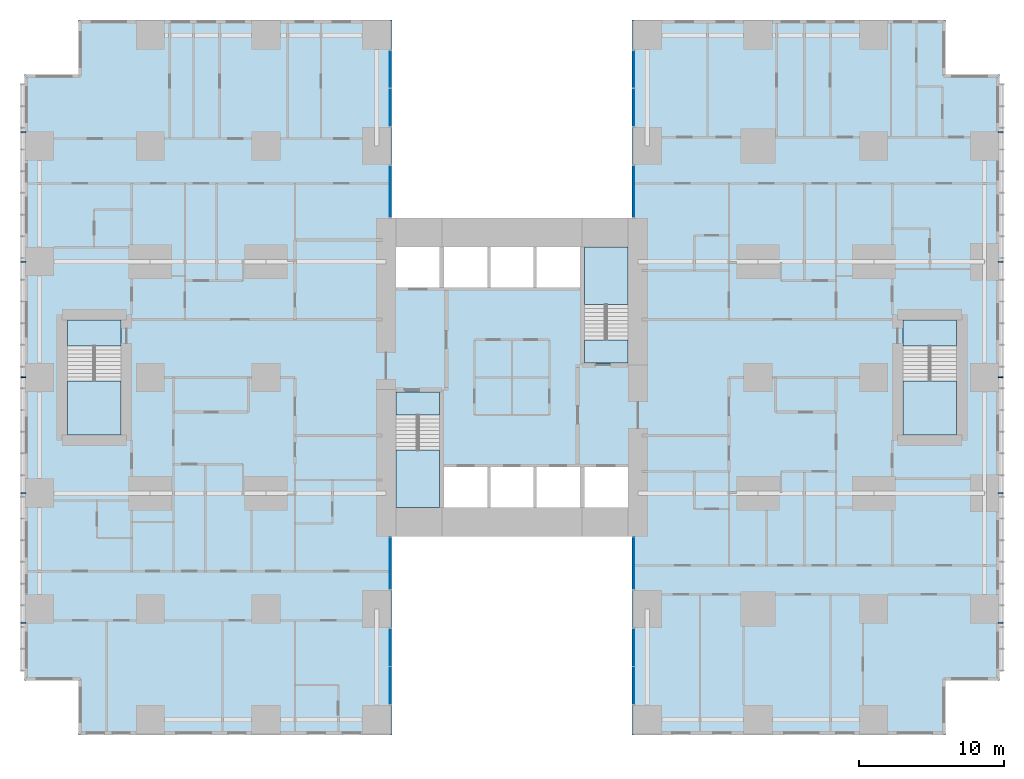
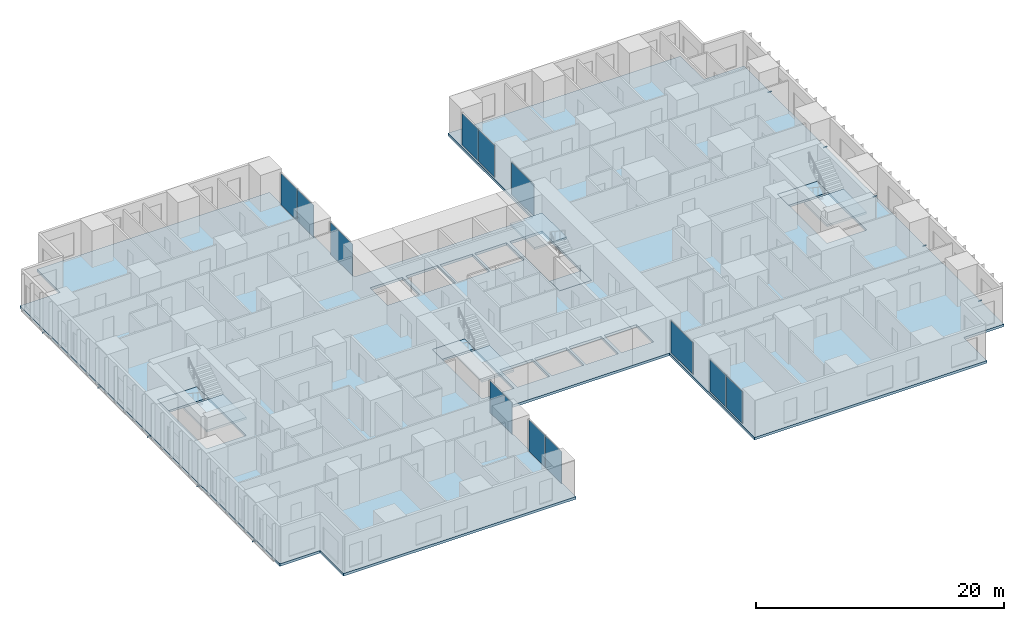
# One storey, part 7 of 20: 12 plates, 10 members, 9 slabs, 12 elements without a shape of their own.
"""IFC4 building model written with IfcOpenShell, lengths in metres."""

from ifc_helpers import new_model, si_unit, direction, frame, origin, origin_2d, place, context, subcontext, project, spatial, polyline, rectangle, hollow_rectangle, outline, extrude, material, layer, layer_set, material_profile, profile_set, type_object, element, aggregate, save


model = new_model("IFC4")

# Units and contexts
model_context = context("Model", 3, precision=1e-05, world=origin(), true_north=direction((0.0, 1.0)))
body_context = subcontext(model_context, "Body", "Model", "MODEL_VIEW")
ifc_project = project(units=[si_unit("LENGTHUNIT", "METRE"), si_unit("AREAUNIT", "SQUARE_METRE"), si_unit("VOLUMEUNIT", "CUBIC_METRE"), si_unit("PLANEANGLEUNIT", "RADIAN"), si_unit("MASSUNIT", "GRAM", prefix="KILO")], contexts=[model_context])

# Site, building, storey
site_placement = place(None, origin())
site = spatial("IfcSite", under=ifc_project, at=site_placement, CompositionType="ELEMENT")
building_placement = place(site_placement, origin())
building = spatial("IfcBuilding", under=site, at=building_placement, Name="Cleftline Residences", CompositionType="ELEMENT")
storey_placement = place(building_placement, frame((0.0, 0.0, 168.199951171875)))
storey = spatial("IfcBuildingStorey", under=building, at=storey_placement, Name="L44", CompositionType="ELEMENT", Elevation=168.199951171875)

# Members
ifc_material_1 = material(Name="Steel S355, hot-dip galvanised", Category="steel")
ifc_material_profile = material_profile(ifc_material_1, hollow_rectangle(XDim=0.10009765625, YDim=0.10009765625, WallThickness=0.008056640625, InnerFilletRadius=0.008056640625, OuterFilletRadius=0.011962890625, at=origin_2d()))
ifc_profile_set = profile_set([ifc_material_profile], Name="Steel S355, hot-dip galvanised")
member_type = type_object("IfcMemberType", Name="BAGUETTE BRACKET SHS 100X100X8", PredefinedType="USERDEFINED", material=ifc_profile_set)
for number, where, z_axis, x_axis, name in (
    (1, (66.60009765625, 7.050048828125, -0.14990234375), (1.0, 0.0, 0.0), (0.0, 1.0, 0.0), "Baguette bracket"),
    (2, (66.60009765625, 16.0, -0.14990234375), (1.0, 0.0, 0.0), (0.0, 1.0, 0.0), "Baguette bracket"),
    (3, (66.60009765625, 24.0, -0.14990234375), (1.0, 0.0, 0.0), (0.0, 1.0, 0.0), "Baguette bracket"),
    (4, (66.60009765625, 32.0, -0.14990234375), (1.0, 0.0, 0.0), (0.0, 1.0, 0.0), "Baguette bracket"),
    (5, (66.60009765625, 40.949951171875, -0.14990234375), (1.0, 0.0, 0.0), (0.0, 1.0, 0.0), "Baguette bracket"),
    (6, (-0.60009765625, 40.949951171875, -0.14990234375), (-1.0, 0.0, 0.0), (0.0, -1.0, 0.0), "Baguette bracket"),
    (7, (-0.60009765625, 32.0, -0.14990234375), (-1.0, 0.0, 0.0), (0.0, -1.0, 0.0), "Baguette bracket"),
    (8, (-0.60009765625, 24.0, -0.14990234375), (-1.0, 0.0, 0.0), (0.0, -1.0, 0.0), "Baguette bracket"),
    (9, (-0.60009765625, 16.0, -0.14990234375), (-1.0, 0.0, 0.0), (0.0, -1.0, 0.0), "Baguette bracket"),
    (10, (-0.60009765625, 7.050048828125, -0.14990234375), (-1.0, 0.0, 0.0), (0.0, -1.0, 0.0), "Baguette bracket"),
):
    element("IfcMember", number, at=place(storey_placement, frame(where, z_axis=z_axis, x_axis=x_axis)), inside=storey, type_object=member_type, Name=name, ObjectType="BAGUETTE BRACKET", PredefinedType="USERDEFINED", context=body_context, shape_type="SweptSolid", body=[
        extrude(hollow_rectangle(XDim=0.10009765625, YDim=0.10009765625, WallThickness=0.008056640625, InnerFilletRadius=0.008056640625, OuterFilletRadius=0.011962890625, at=origin_2d()), origin(), (0.0, 0.0, 1.0), 0.349853515625),
    ])

# Curtain wall, plate
ifc_material_2 = material(Name="Aluminium framed curtain wall", Category="aluminium")
ifc_layer_1 = layer(ifc_material_2, 0.199951171875)
ifc_layer_set_1 = layer_set([ifc_layer_1], Name="CW1 CLEFT GLAZING")
curtain_wall_type = type_object("IfcCurtainWallType", Name="CW1 CLEFT GLAZING", PredefinedType="NOTDEFINED", material=ifc_layer_set_1)
curtain_wall_1_placement = place(storey_placement, origin())
curtain_wall_1 = element("IfcCurtainWall", 11, at=curtain_wall_1_placement, inside=storey, type_object=curtain_wall_type, Name="Curtain wall CW1", PredefinedType="NOTDEFINED")
ifc_material_3 = material(Name="Laminated clear glass", Category="glass")
ifc_layer_2 = layer(ifc_material_3, 0.028076171875)
ifc_layer_set_2 = layer_set([ifc_layer_2], Name="CW1 GLASS PANEL")
plate_type_1 = type_object("IfcPlateType", Name="CW1 GLASS PANEL", PredefinedType="CURTAIN_PANEL", material=ifc_layer_set_2)
plate_1_placement = place(storey_placement, frame((24.574951171875, 5.347412109375, 0.06005859375), z_axis=(0.0, 0.0, 1.0), x_axis=(0.0, 1.0, 0.0)))
plate_1 = element("IfcPlate", 12, at=plate_1_placement, type_object=plate_type_1, Name="CW1 panel 2.1", PredefinedType="CURTAIN_PANEL", context=body_context, shape_type="SweptSolid", body=[
    extrude(rectangle(XDim=2.5849609375, YDim=0.028076171875, at=origin_2d()), origin(), (0.0, 0.0, 1.0), 3.1298828125),
])

curtain_wall_2_placement = place(storey_placement, origin())
curtain_wall_2 = element("IfcCurtainWall", 13, at=curtain_wall_2_placement, inside=storey, type_object=curtain_wall_type, Name="Curtain wall CW1", PredefinedType="NOTDEFINED")
plate_2_placement = place(storey_placement, frame((41.425048828125, 5.347412109375, 0.06005859375), z_axis=(0.0, 0.0, 1.0), x_axis=(0.0, -1.0, 0.0)))
plate_2 = element("IfcPlate", 14, at=plate_2_placement, type_object=plate_type_1, Name="CW1 panel 1.1", PredefinedType="CURTAIN_PANEL", context=body_context, shape_type="SweptSolid", body=[
    extrude(rectangle(XDim=2.5849609375, YDim=0.028076171875, at=origin_2d()), origin(), (0.0, 0.0, 1.0), 3.1298828125),
])

curtain_wall_3_placement = place(storey_placement, origin())
curtain_wall_3 = element("IfcCurtainWall", 15, at=curtain_wall_3_placement, inside=storey, type_object=curtain_wall_type, Name="Curtain wall CW1", PredefinedType="NOTDEFINED")
plate_3_placement = place(storey_placement, frame((41.425048828125, 45.297607421875, 0.06005859375), z_axis=(0.0, 0.0, 1.0), x_axis=(0.0, -1.0, 0.0)))
plate_3 = element("IfcPlate", 16, at=plate_3_placement, type_object=plate_type_1, Name="CW1 panel 1.1", PredefinedType="CURTAIN_PANEL", context=body_context, shape_type="SweptSolid", body=[
    extrude(rectangle(XDim=2.5849609375, YDim=0.028076171875, at=origin_2d()), origin(), (0.0, 0.0, 1.0), 3.1298828125),
])

curtain_wall_4_placement = place(storey_placement, origin())
curtain_wall_4 = element("IfcCurtainWall", 17, at=curtain_wall_4_placement, inside=storey, type_object=curtain_wall_type, Name="Curtain wall CW1", PredefinedType="NOTDEFINED")
plate_4_placement = place(storey_placement, frame((24.574951171875, 45.297607421875, 0.06005859375), z_axis=(0.0, 0.0, 1.0), x_axis=(0.0, 1.0, 0.0)))
plate_4 = element("IfcPlate", 18, at=plate_4_placement, type_object=plate_type_1, Name="CW1 panel 2.1", PredefinedType="CURTAIN_PANEL", context=body_context, shape_type="SweptSolid", body=[
    extrude(rectangle(XDim=2.5849609375, YDim=0.028076171875, at=origin_2d()), origin(), (0.0, 0.0, 1.0), 3.1298828125),
])

# Plate
ifc_material_4 = material(Name="Insulated aluminium panel", Category="aluminium")
ifc_layer_3 = layer(ifc_material_4, 0.028076171875)
ifc_layer_set_3 = layer_set([ifc_layer_3], Name="CW1 INSULATED PANEL")
plate_type_2 = type_object("IfcPlateType", Name="CW1 INSULATED PANEL", PredefinedType="USERDEFINED", material=ifc_layer_set_3)
plate_5_placement = place(storey_placement, frame((24.574951171875, 2.702392578125, 0.06005859375), z_axis=(0.0, 0.0, 1.0), x_axis=(0.0, 1.0, 0.0)))
plate_5 = element("IfcPlate", 19, at=plate_5_placement, type_object=plate_type_2, Name="CW1 panel 1.1", ObjectType="INSULATED PANEL", PredefinedType="USERDEFINED", context=body_context, shape_type="SweptSolid", body=[
    extrude(rectangle(XDim=2.5849609375, YDim=0.028076171875, at=origin_2d()), origin(), (0.0, 0.0, 1.0), 3.1298828125),
])

aggregate(curtain_wall_1, [plate_5, plate_1])

# Curtain wall, plate
curtain_wall_5_placement = place(storey_placement, origin())
curtain_wall_5 = element("IfcCurtainWall", 20, at=curtain_wall_5_placement, inside=storey, type_object=curtain_wall_type, Name="Curtain wall CW1", PredefinedType="NOTDEFINED")
plate_6_placement = place(storey_placement, frame((24.574951171875, 11.14990234375, 0.06005859375), z_axis=(0.0, 0.0, 1.0), x_axis=(0.0, 1.0, 0.0)))
plate_6 = element("IfcPlate", 21, at=plate_6_placement, type_object=plate_type_2, Name="CW1 panel 1.1", ObjectType="INSULATED PANEL", PredefinedType="USERDEFINED", context=body_context, shape_type="SweptSolid", body=[
    extrude(rectangle(XDim=3.580078125, YDim=0.028076171875, at=origin_2d()), origin(), (0.0, 0.0, 1.0), 3.1298828125),
])
aggregate(curtain_wall_5, [plate_6])

curtain_wall_6_placement = place(storey_placement, origin())
curtain_wall_6 = element("IfcCurtainWall", 22, at=curtain_wall_6_placement, inside=storey, type_object=curtain_wall_type, Name="Curtain wall CW1", PredefinedType="NOTDEFINED")
plate_7_placement = place(storey_placement, frame((41.425048828125, 11.14990234375, 0.06005859375), z_axis=(0.0, 0.0, 1.0), x_axis=(0.0, -1.0, 0.0)))
plate_7 = element("IfcPlate", 23, at=plate_7_placement, type_object=plate_type_2, Name="CW1 panel 1.1", ObjectType="INSULATED PANEL", PredefinedType="USERDEFINED", context=body_context, shape_type="SweptSolid", body=[
    extrude(rectangle(XDim=3.580078125, YDim=0.028076171875, at=origin_2d()), origin(), (0.0, 0.0, 1.0), 3.1298828125),
])
aggregate(curtain_wall_6, [plate_7])

# Plate
plate_8_placement = place(storey_placement, frame((41.425048828125, 2.702392578125, 0.06005859375), z_axis=(0.0, 0.0, 1.0), x_axis=(0.0, -1.0, 0.0)))
plate_8 = element("IfcPlate", 24, at=plate_8_placement, type_object=plate_type_2, Name="CW1 panel 2.1", ObjectType="INSULATED PANEL", PredefinedType="USERDEFINED", context=body_context, shape_type="SweptSolid", body=[
    extrude(rectangle(XDim=2.5849609375, YDim=0.028076171875, at=origin_2d()), origin(), (0.0, 0.0, 1.0), 3.1298828125),
])

aggregate(curtain_wall_2, [plate_2, plate_8])

plate_9_placement = place(storey_placement, frame((41.425048828125, 42.652587890625, 0.06005859375), z_axis=(0.0, 0.0, 1.0), x_axis=(0.0, -1.0, 0.0)))
plate_9 = element("IfcPlate", 25, at=plate_9_placement, type_object=plate_type_2, Name="CW1 panel 2.1", ObjectType="INSULATED PANEL", PredefinedType="USERDEFINED", context=body_context, shape_type="SweptSolid", body=[
    extrude(rectangle(XDim=2.5849609375, YDim=0.028076171875, at=origin_2d()), origin(), (0.0, 0.0, 1.0), 3.1298828125),
])

aggregate(curtain_wall_3, [plate_3, plate_9])

# Curtain wall, plate
curtain_wall_7_placement = place(storey_placement, origin())
curtain_wall_7 = element("IfcCurtainWall", 26, at=curtain_wall_7_placement, inside=storey, type_object=curtain_wall_type, Name="Curtain wall CW1", PredefinedType="NOTDEFINED")
plate_10_placement = place(storey_placement, frame((41.425048828125, 36.85009765625, 0.06005859375), z_axis=(0.0, 0.0, 1.0), x_axis=(0.0, -1.0, 0.0)))
plate_10 = element("IfcPlate", 27, at=plate_10_placement, type_object=plate_type_2, Name="CW1 panel 1.1", ObjectType="INSULATED PANEL", PredefinedType="USERDEFINED", context=body_context, shape_type="SweptSolid", body=[
    extrude(rectangle(XDim=3.580078125, YDim=0.028076171875, at=origin_2d()), origin(), (0.0, 0.0, 1.0), 3.1298828125),
])
aggregate(curtain_wall_7, [plate_10])

curtain_wall_8_placement = place(storey_placement, origin())
curtain_wall_8 = element("IfcCurtainWall", 28, at=curtain_wall_8_placement, inside=storey, type_object=curtain_wall_type, Name="Curtain wall CW1", PredefinedType="NOTDEFINED")
plate_11_placement = place(storey_placement, frame((24.574951171875, 36.85009765625, 0.06005859375), z_axis=(0.0, 0.0, 1.0), x_axis=(0.0, 1.0, 0.0)))
plate_11 = element("IfcPlate", 29, at=plate_11_placement, type_object=plate_type_2, Name="CW1 panel 1.1", ObjectType="INSULATED PANEL", PredefinedType="USERDEFINED", context=body_context, shape_type="SweptSolid", body=[
    extrude(rectangle(XDim=3.580078125, YDim=0.028076171875, at=origin_2d()), origin(), (0.0, 0.0, 1.0), 3.1298828125),
])
aggregate(curtain_wall_8, [plate_11])

# Plate
plate_12_placement = place(storey_placement, frame((24.574951171875, 42.652587890625, 0.06005859375), z_axis=(0.0, 0.0, 1.0), x_axis=(0.0, 1.0, 0.0)))
plate_12 = element("IfcPlate", 30, at=plate_12_placement, type_object=plate_type_2, Name="CW1 panel 1.1", ObjectType="INSULATED PANEL", PredefinedType="USERDEFINED", context=body_context, shape_type="SweptSolid", body=[
    extrude(rectangle(XDim=2.5849609375, YDim=0.028076171875, at=origin_2d()), origin(), (0.0, 0.0, 1.0), 3.1298828125),
])

aggregate(curtain_wall_4, [plate_12, plate_4])

# Slab
ifc_material_5 = material(Name="Concrete B45", Category="concrete")
ifc_layer_4 = layer(ifc_material_5, 0.25)
ifc_layer_set_4 = layer_set([ifc_layer_4], Name="FLOOR SLAB 250")
slab_type_1 = type_object("IfcSlabType", Name="FLOOR SLAB 250", PredefinedType="FLOOR", material=ifc_layer_set_4)
slab_1_placement = place(storey_placement, frame((0.0, 0.0, -0.25)))
element("IfcSlab", 31, at=slab_1_placement, inside=storey, type_object=slab_type_1, Name="Floor slab L44", PredefinedType="FLOOR", context=body_context, shape_type="SweptSolid", body=[
    extrude(outline(polyline([(24.699951171875, 13.0), (41.300048828125, 13.0), (41.300048828125, -0.699951171875), (62.949951171875, -0.699951171875), (62.949951171875, 3.050048828125), (66.699951171875, 3.050048828125), (66.699951171875, 44.949951171875), (62.949951171875, 44.949951171875), (62.949951171875, 48.699951171875), (41.300048828125, 48.699951171875), (41.300048828125, 35.0), (24.699951171875, 35.0), (24.699951171875, 48.699951171875), (3.050048828125, 48.699951171875), (3.050048828125, 44.949951171875), (-0.699951171875, 44.949951171875), (-0.699951171875, 3.050048828125), (3.050048828125, 3.050048828125), (3.050048828125, -0.699951171875), (24.699951171875, -0.699951171875), (24.699951171875, 13.0)]), holes=[polyline([(28.0, 15.0), (28.0, 23.0), (25.0, 23.0), (25.0, 15.0), (28.0, 15.0)]), polyline([(41.0, 25.0), (41.0, 33.0), (38.0, 33.0), (38.0, 25.0), (41.0, 25.0)]), polyline([(28.0, 30.199951171875), (28.0, 33.0), (25.0, 33.0), (25.0, 30.199951171875), (28.0, 30.199951171875)]), polyline([(41.0, 15.0), (41.0, 17.800048828125), (38.0, 17.800048828125), (38.0, 15.0), (41.0, 15.0)]), polyline([(31.300048828125, 15.0), (31.300048828125, 17.800048828125), (28.300048828125, 17.800048828125), (28.300048828125, 15.0), (31.300048828125, 15.0)]), polyline([(34.5, 15.0), (34.5, 17.800048828125), (31.5, 17.800048828125), (31.5, 15.0), (34.5, 15.0)]), polyline([(37.699951171875, 15.0), (37.699951171875, 17.800048828125), (34.699951171875, 17.800048828125), (34.699951171875, 15.0), (37.699951171875, 15.0)]), polyline([(31.300048828125, 30.199951171875), (31.300048828125, 33.0), (28.300048828125, 33.0), (28.300048828125, 30.199951171875), (31.300048828125, 30.199951171875)]), polyline([(34.5, 30.199951171875), (34.5, 33.0), (31.5, 33.0), (31.5, 30.199951171875), (34.5, 30.199951171875)]), polyline([(37.699951171875, 30.199951171875), (37.699951171875, 33.0), (34.699951171875, 33.0), (34.699951171875, 30.199951171875), (37.699951171875, 30.199951171875)]), polyline([(63.72509765625, 20.02490234375), (63.72509765625, 27.97509765625), (60.02490234375, 27.97509765625), (60.02490234375, 20.02490234375), (63.72509765625, 20.02490234375)]), polyline([(5.97509765625, 20.02490234375), (5.97509765625, 27.97509765625), (2.27490234375, 27.97509765625), (2.27490234375, 20.02490234375), (5.97509765625, 20.02490234375)])]), origin(), (0.0, 0.0, 1.0), 0.25),
])

# Stair, slabs
ifc_material_6 = material(Name="Concrete B45, stone treads", Category="masonry")
stair_type_1 = type_object("IfcStairType", Name="STAIR A 1450 WIDE 180 RISER", PredefinedType="HALF_TURN_STAIR", material=ifc_material_6)
stair_1_placement = place(storey_placement, origin())
stair_1 = element("IfcStair", 32, at=stair_1_placement, inside=storey, type_object=stair_type_1, Name="Stair A L44", PredefinedType="HALF_TURN_STAIR")
ifc_material_7 = material(Name="Concrete B45", Category="concrete")
ifc_layer_5 = layer(ifc_material_7, 0.199951171875)
ifc_layer_set_5 = layer_set([ifc_layer_5], Name="STAIR LANDING 200")
slab_type_2 = type_object("IfcSlabType", Name="STAIR LANDING 200", PredefinedType="LANDING", material=ifc_layer_set_5)
slab_2_placement = place(storey_placement, frame((0.0, 0.0, -0.199951171875)))
slab_2 = element("IfcSlab", 33, at=slab_2_placement, type_object=slab_type_2, Name="ST-A landing 1", PredefinedType="LANDING", context=body_context, shape_type="SweptSolid", body=[
    extrude(outline(polyline([(25.0, 21.39990234375), (28.0, 21.39990234375), (28.0, 23.0), (25.0, 23.0), (25.0, 21.39990234375)])), origin(), (0.0, 0.0, 1.0), 0.199951171875),
])
slab_3_placement = place(storey_placement, frame((0.0, 0.0, 1.60009765625)))
slab_3 = element("IfcSlab", 34, at=slab_3_placement, type_object=slab_type_2, Name="ST-A landing 2", PredefinedType="LANDING", context=body_context, shape_type="SweptSolid", body=[
    extrude(outline(polyline([(25.0, 15.0), (28.0, 15.0), (28.0, 18.969970703125), (25.0, 18.969970703125), (25.0, 15.0)])), origin(), (0.0, 0.0, 1.0), 0.199951171875),
])
aggregate(stair_1, [slab_2, slab_3])

ifc_material_8 = material(Name="Concrete B45, stone treads", Category="masonry")
stair_type_2 = type_object("IfcStairType", Name="STAIR B 1450 WIDE 180 RISER", PredefinedType="HALF_TURN_STAIR", material=ifc_material_8)
stair_2_placement = place(storey_placement, origin())
stair_2 = element("IfcStair", 35, at=stair_2_placement, inside=storey, type_object=stair_type_2, Name="Stair B L44", PredefinedType="HALF_TURN_STAIR")
slab_4_placement = place(storey_placement, frame((0.0, 0.0, -0.199951171875)))
slab_4 = element("IfcSlab", 36, at=slab_4_placement, type_object=slab_type_2, Name="ST-B landing 1", PredefinedType="LANDING", context=body_context, shape_type="SweptSolid", body=[
    extrude(outline(polyline([(38.0, 25.0), (41.0, 25.0), (41.0, 26.60009765625), (38.0, 26.60009765625), (38.0, 25.0)])), origin(), (0.0, 0.0, 1.0), 0.199951171875),
])
slab_5_placement = place(storey_placement, frame((0.0, 0.0, 1.60009765625)))
slab_5 = element("IfcSlab", 37, at=slab_5_placement, type_object=slab_type_2, Name="ST-B landing 2", PredefinedType="LANDING", context=body_context, shape_type="SweptSolid", body=[
    extrude(outline(polyline([(38.0, 29.030029296875), (41.0, 29.030029296875), (41.0, 33.0), (38.0, 33.0), (38.0, 29.030029296875)])), origin(), (0.0, 0.0, 1.0), 0.199951171875),
])
aggregate(stair_2, [slab_4, slab_5])

ifc_material_9 = material(Name="Concrete B45, stone treads", Category="masonry")
stair_type_3 = type_object("IfcStairType", Name="STAIR E 1800 WIDE 180 RISER", PredefinedType="HALF_TURN_STAIR", material=ifc_material_9)
stair_3_placement = place(storey_placement, origin())
stair_3 = element("IfcStair", 38, at=stair_3_placement, inside=storey, type_object=stair_type_3, Name="Stair E L44", PredefinedType="HALF_TURN_STAIR")
slab_6_placement = place(storey_placement, frame((0.0, 0.0, -0.199951171875)))
slab_6 = element("IfcSlab", 39, at=slab_6_placement, type_object=slab_type_2, Name="ST-E landing 1", PredefinedType="LANDING", context=body_context, shape_type="SweptSolid", body=[
    extrude(outline(polyline([(60.02490234375, 26.175048828125), (63.72509765625, 26.175048828125), (63.72509765625, 27.97509765625), (60.02490234375, 27.97509765625), (60.02490234375, 26.175048828125)])), origin(), (0.0, 0.0, 1.0), 0.199951171875),
])
slab_7_placement = place(storey_placement, frame((0.0, 0.0, 1.60009765625)))
slab_7 = element("IfcSlab", 40, at=slab_7_placement, type_object=slab_type_2, Name="ST-E landing 2", PredefinedType="LANDING", context=body_context, shape_type="SweptSolid", body=[
    extrude(outline(polyline([(60.02490234375, 20.02490234375), (63.72509765625, 20.02490234375), (63.72509765625, 23.7451171875), (60.02490234375, 23.7451171875), (60.02490234375, 20.02490234375)])), origin(), (0.0, 0.0, 1.0), 0.199951171875),
])
aggregate(stair_3, [slab_6, slab_7])

ifc_material_10 = material(Name="Concrete B45, stone treads", Category="masonry")
stair_type_4 = type_object("IfcStairType", Name="STAIR W 1800 WIDE 180 RISER", PredefinedType="HALF_TURN_STAIR", material=ifc_material_10)
stair_4_placement = place(storey_placement, origin())
stair_4 = element("IfcStair", 41, at=stair_4_placement, inside=storey, type_object=stair_type_4, Name="Stair W L44", PredefinedType="HALF_TURN_STAIR")
slab_8_placement = place(storey_placement, frame((0.0, 0.0, -0.199951171875)))
slab_8 = element("IfcSlab", 42, at=slab_8_placement, type_object=slab_type_2, Name="ST-W landing 1", PredefinedType="LANDING", context=body_context, shape_type="SweptSolid", body=[
    extrude(outline(polyline([(2.27490234375, 26.175048828125), (5.97509765625, 26.175048828125), (5.97509765625, 27.97509765625), (2.27490234375, 27.97509765625), (2.27490234375, 26.175048828125)])), origin(), (0.0, 0.0, 1.0), 0.199951171875),
])
slab_9_placement = place(storey_placement, frame((0.0, 0.0, 1.60009765625)))
slab_9 = element("IfcSlab", 43, at=slab_9_placement, type_object=slab_type_2, Name="ST-W landing 2", PredefinedType="LANDING", context=body_context, shape_type="SweptSolid", body=[
    extrude(outline(polyline([(2.27490234375, 20.02490234375), (5.97509765625, 20.02490234375), (5.97509765625, 23.7451171875), (2.27490234375, 23.7451171875), (2.27490234375, 20.02490234375)])), origin(), (0.0, 0.0, 1.0), 0.199951171875),
])
aggregate(stair_4, [slab_8, slab_9])

save(model, "model.ifc")
